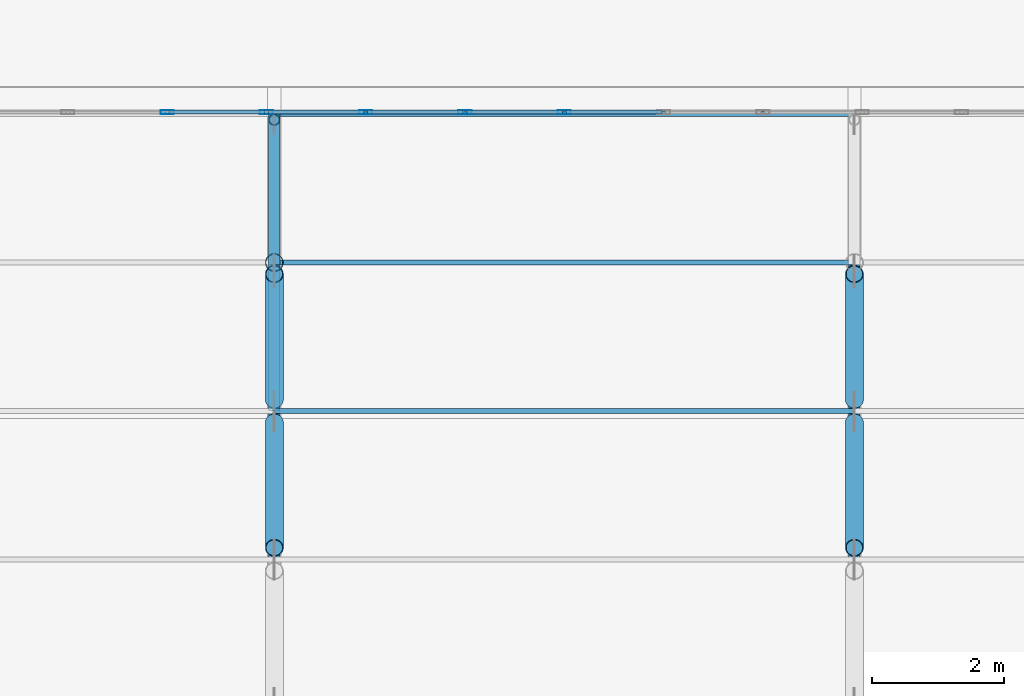
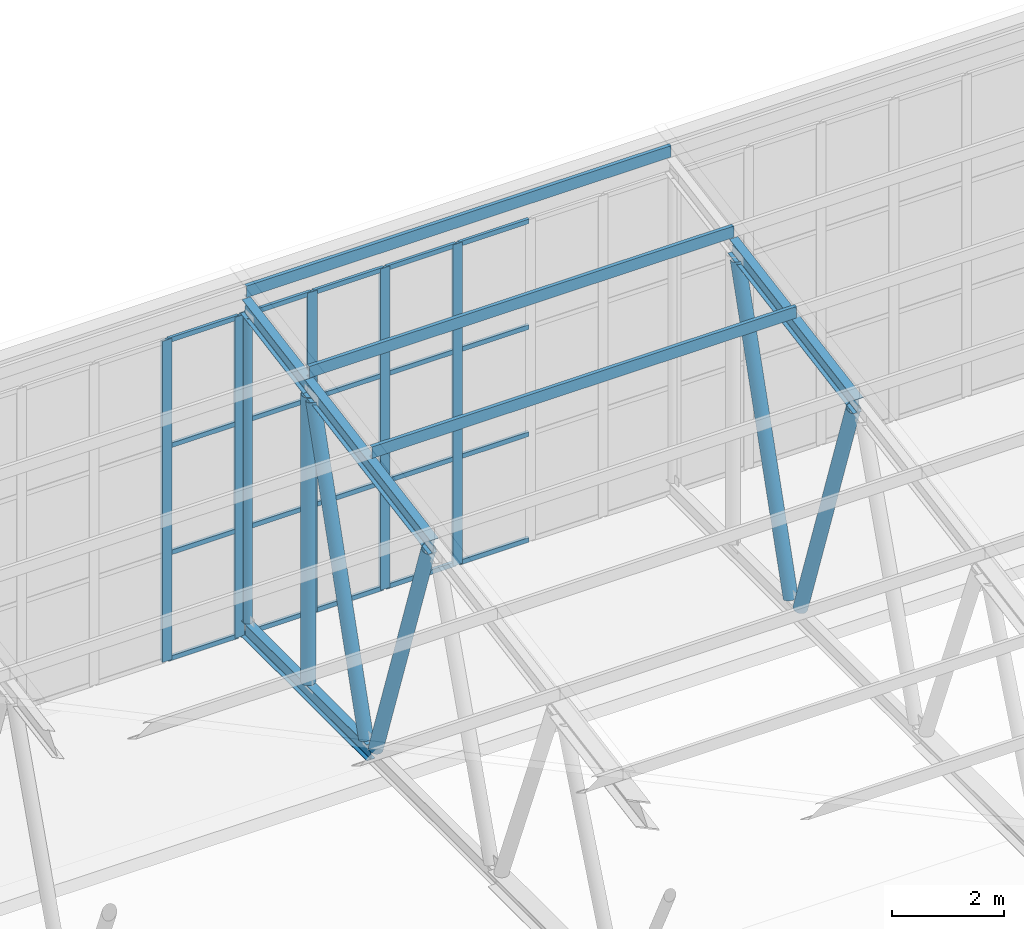
# One storey, part 58 of 185: 38 members, 1 element without a shape of its own.
"""IFC4 building model written with IfcOpenShell, lengths in metres."""

from ifc_helpers import new_model, si_unit, direction, frame, origin, origin_2d, place, context, subcontext, project, spatial, polyline, hollow_rectangle, hollow_circle, i_section, outline, extrude, material, layer, layer_set, material_profile, profile_set, type_object, element, aggregate, save


model = new_model("IFC4")

# Units and contexts
model_context = context("Model", 3, precision=1e-05, world=origin(), true_north=direction((0.0, 1.0)))
body_context = subcontext(model_context, "Body", "Model", "MODEL_VIEW")
ifc_project = project(units=[si_unit("LENGTHUNIT", "METRE"), si_unit("AREAUNIT", "SQUARE_METRE"), si_unit("VOLUMEUNIT", "CUBIC_METRE"), si_unit("PLANEANGLEUNIT", "RADIAN"), si_unit("MASSUNIT", "GRAM", prefix="KILO")], contexts=[model_context])

# Site, building, storey
site_placement = place(None, origin())
site = spatial("IfcSite", under=ifc_project, at=site_placement, CompositionType="ELEMENT")
building_placement = place(site_placement, origin())
building = spatial("IfcBuilding", under=site, at=building_placement, Name="Opaline Strait Convention Centre", CompositionType="ELEMENT")
storey_placement = place(building_placement, frame((0.0, 0.0, 6.0)))
storey = spatial("IfcBuildingStorey", under=building, at=storey_placement, Name="L01", CompositionType="ELEMENT", Elevation=6.0)

# Curtain wall, members
ifc_material_1 = material(Name="Aluminium 6063-T5", Category="aluminium")
ifc_layer = layer(ifc_material_1, 0.199951171875)
ifc_layer_set = layer_set([ifc_layer], Name="Aluminium 6063-T5")
curtain_wall_type = type_object("IfcCurtainWallType", Name="Unitised curtain wall 1640 module", PredefinedType="NOTDEFINED", material=ifc_layer_set)
curtain_wall_placement = place(storey_placement, origin())
curtain_wall = element("IfcCurtainWall", 1, at=curtain_wall_placement, inside=storey, type_object=curtain_wall_type, Name="Ballroom north clerestory curtain wall", PredefinedType="NOTDEFINED")
ifc_material_2 = material(Name="Aluminium alloy 6063", Category="aluminium")
ifc_material_profile_1 = material_profile(ifc_material_2, hollow_rectangle(XDim=0.06005859375, YDim=0.199951171875, WallThickness=0.00390625, at=origin_2d()), Name="MULLION 60x200x4")
ifc_profile_set_1 = profile_set([ifc_material_profile_1], Name="Aluminium alloy 6063")
member_type_1 = type_object("IfcMemberType", Name="Curtain wall mullion 60 x 200", PredefinedType="MULLION", material=ifc_profile_set_1)
member_1_placement = place(storey_placement, frame((313.494384765625, 62.929931640625, 4.324951171875), z_axis=(0.0, 0.0, 1.0), x_axis=(0.0, 1.0, 0.0)))
member_1 = element("IfcMember", 2, at=member_1_placement, type_object=member_type_1, Name="BG2 mullion 18", PredefinedType="MULLION", context=body_context, shape_type="SweptSolid", body=[
    extrude(hollow_rectangle(XDim=0.06005859375, YDim=0.199951171875, WallThickness=0.00390625, at=origin_2d()), origin(), (0.0, 0.0, 1.0), 7.01513671875),
])
member_2_placement = place(storey_placement, frame((314.99560546875, 62.929931640625, 4.324951171875), z_axis=(0.0, 0.0, 1.0), x_axis=(0.0, 1.0, 0.0)))
member_2 = element("IfcMember", 3, at=member_2_placement, type_object=member_type_1, Name="BG2 mullion 19", PredefinedType="MULLION", context=body_context, shape_type="SweptSolid", body=[
    extrude(hollow_rectangle(XDim=0.06005859375, YDim=0.199951171875, WallThickness=0.00390625, at=origin_2d()), origin(), (0.0, 0.0, 1.0), 7.01513671875),
])
member_3_placement = place(storey_placement, frame((316.4970703125, 62.929931640625, 4.324951171875), z_axis=(0.0, 0.0, 1.0), x_axis=(0.0, 1.0, 0.0)))
member_3 = element("IfcMember", 4, at=member_3_placement, type_object=member_type_1, Name="BG2 mullion 20", PredefinedType="MULLION", context=body_context, shape_type="SweptSolid", body=[
    extrude(hollow_rectangle(XDim=0.06005859375, YDim=0.199951171875, WallThickness=0.00390625, at=origin_2d()), origin(), (0.0, 0.0, 1.0), 7.01513671875),
])
member_4_placement = place(storey_placement, frame((317.99853515625, 62.929931640625, 4.324951171875), z_axis=(0.0, 0.0, 1.0), x_axis=(0.0, 1.0, 0.0)))
member_4 = element("IfcMember", 5, at=member_4_placement, type_object=member_type_1, Name="BG2 mullion 21", PredefinedType="MULLION", context=body_context, shape_type="SweptSolid", body=[
    extrude(hollow_rectangle(XDim=0.06005859375, YDim=0.199951171875, WallThickness=0.00390625, at=origin_2d()), origin(), (0.0, 0.0, 1.0), 7.01513671875),
])
member_5_placement = place(storey_placement, frame((319.5, 62.929931640625, 4.324951171875), z_axis=(0.0, 0.0, 1.0), x_axis=(0.0, 1.0, 0.0)))
member_5 = element("IfcMember", 6, at=member_5_placement, type_object=member_type_1, Name="BG2 mullion 22", PredefinedType="MULLION", context=body_context, shape_type="SweptSolid", body=[
    extrude(hollow_rectangle(XDim=0.06005859375, YDim=0.199951171875, WallThickness=0.00390625, at=origin_2d()), origin(), (0.0, 0.0, 1.0), 7.01513671875),
])
ifc_material_profile_2 = material_profile(ifc_material_2, hollow_rectangle(XDim=0.06005859375, YDim=0.10009765625, WallThickness=0.0029296875, at=origin_2d()), Name="TRANSOM 60x100x3")
ifc_profile_set_2 = profile_set([ifc_material_profile_2], Name="Aluminium alloy 6063")
member_type_2 = type_object("IfcMemberType", Name="Curtain wall transom 60 x 100", PredefinedType="USERDEFINED", material=ifc_profile_set_2)
member_6_placement = place(storey_placement, frame((313.524169921875, 62.929931640625, 4.35498046875), z_axis=(1.0, 0.0, 0.0), x_axis=(0.0, 1.0, 0.0)))
member_6 = element("IfcMember", 7, at=member_6_placement, type_object=member_type_2, Name="BG2 transom 18.1", ObjectType="TRANSOM", PredefinedType="USERDEFINED", context=body_context, shape_type="SweptSolid", body=[
    extrude(hollow_rectangle(XDim=0.06005859375, YDim=0.10009765625, WallThickness=0.0029296875, at=origin_2d()), origin(), (0.0, 0.0, 1.0), 1.441650390625),
])
member_7_placement = place(storey_placement, frame((313.524169921875, 62.929931640625, 6.663330078125), z_axis=(1.0, 0.0, 0.0), x_axis=(0.0, 1.0, 0.0)))
member_7 = element("IfcMember", 8, at=member_7_placement, type_object=member_type_2, Name="BG2 transom 18.2", ObjectType="TRANSOM", PredefinedType="USERDEFINED", context=body_context, shape_type="SweptSolid", body=[
    extrude(hollow_rectangle(XDim=0.06005859375, YDim=0.10009765625, WallThickness=0.0029296875, at=origin_2d()), origin(), (0.0, 0.0, 1.0), 1.441650390625),
])
member_8_placement = place(storey_placement, frame((313.524169921875, 62.929931640625, 9.001708984375), z_axis=(1.0, 0.0, 0.0), x_axis=(0.0, 1.0, 0.0)))
member_8 = element("IfcMember", 9, at=member_8_placement, type_object=member_type_2, Name="BG2 transom 18.3", ObjectType="TRANSOM", PredefinedType="USERDEFINED", context=body_context, shape_type="SweptSolid", body=[
    extrude(hollow_rectangle(XDim=0.06005859375, YDim=0.10009765625, WallThickness=0.0029296875, at=origin_2d()), origin(), (0.0, 0.0, 1.0), 1.441650390625),
])
member_9_placement = place(storey_placement, frame((313.524169921875, 62.929931640625, 11.31005859375), z_axis=(1.0, 0.0, 0.0), x_axis=(0.0, 1.0, 0.0)))
member_9 = element("IfcMember", 10, at=member_9_placement, type_object=member_type_2, Name="BG2 transom 18.4", ObjectType="TRANSOM", PredefinedType="USERDEFINED", context=body_context, shape_type="SweptSolid", body=[
    extrude(hollow_rectangle(XDim=0.06005859375, YDim=0.10009765625, WallThickness=0.0029296875, at=origin_2d()), origin(), (0.0, 0.0, 1.0), 1.441650390625),
])
member_10_placement = place(storey_placement, frame((315.025634765625, 62.929931640625, 4.35498046875), z_axis=(1.0, 0.0, 0.0), x_axis=(0.0, 1.0, 0.0)))
member_10 = element("IfcMember", 11, at=member_10_placement, type_object=member_type_2, Name="BG2 transom 19.1", ObjectType="TRANSOM", PredefinedType="USERDEFINED", context=body_context, shape_type="SweptSolid", body=[
    extrude(hollow_rectangle(XDim=0.06005859375, YDim=0.10009765625, WallThickness=0.0029296875, at=origin_2d()), origin(), (0.0, 0.0, 1.0), 1.44140625),
])
member_11_placement = place(storey_placement, frame((315.025634765625, 62.929931640625, 6.663330078125), z_axis=(1.0, 0.0, 0.0), x_axis=(0.0, 1.0, 0.0)))
member_11 = element("IfcMember", 12, at=member_11_placement, type_object=member_type_2, Name="BG2 transom 19.2", ObjectType="TRANSOM", PredefinedType="USERDEFINED", context=body_context, shape_type="SweptSolid", body=[
    extrude(hollow_rectangle(XDim=0.06005859375, YDim=0.10009765625, WallThickness=0.0029296875, at=origin_2d()), origin(), (0.0, 0.0, 1.0), 1.44140625),
])
member_12_placement = place(storey_placement, frame((315.025634765625, 62.929931640625, 9.001708984375), z_axis=(1.0, 0.0, 0.0), x_axis=(0.0, 1.0, 0.0)))
member_12 = element("IfcMember", 13, at=member_12_placement, type_object=member_type_2, Name="BG2 transom 19.3", ObjectType="TRANSOM", PredefinedType="USERDEFINED", context=body_context, shape_type="SweptSolid", body=[
    extrude(hollow_rectangle(XDim=0.06005859375, YDim=0.10009765625, WallThickness=0.0029296875, at=origin_2d()), origin(), (0.0, 0.0, 1.0), 1.44140625),
])
member_13_placement = place(storey_placement, frame((315.025634765625, 62.929931640625, 11.31005859375), z_axis=(1.0, 0.0, 0.0), x_axis=(0.0, 1.0, 0.0)))
member_13 = element("IfcMember", 14, at=member_13_placement, type_object=member_type_2, Name="BG2 transom 19.4", ObjectType="TRANSOM", PredefinedType="USERDEFINED", context=body_context, shape_type="SweptSolid", body=[
    extrude(hollow_rectangle(XDim=0.06005859375, YDim=0.10009765625, WallThickness=0.0029296875, at=origin_2d()), origin(), (0.0, 0.0, 1.0), 1.44140625),
])
member_14_placement = place(storey_placement, frame((316.527099609375, 62.929931640625, 4.35498046875), z_axis=(1.0, 0.0, 0.0), x_axis=(0.0, 1.0, 0.0)))
member_14 = element("IfcMember", 15, at=member_14_placement, type_object=member_type_2, Name="BG2 transom 20.1", ObjectType="TRANSOM", PredefinedType="USERDEFINED", context=body_context, shape_type="SweptSolid", body=[
    extrude(hollow_rectangle(XDim=0.06005859375, YDim=0.10009765625, WallThickness=0.0029296875, at=origin_2d()), origin(), (0.0, 0.0, 1.0), 1.44140625),
])
member_15_placement = place(storey_placement, frame((316.527099609375, 62.929931640625, 6.663330078125), z_axis=(1.0, 0.0, 0.0), x_axis=(0.0, 1.0, 0.0)))
member_15 = element("IfcMember", 16, at=member_15_placement, type_object=member_type_2, Name="BG2 transom 20.2", ObjectType="TRANSOM", PredefinedType="USERDEFINED", context=body_context, shape_type="SweptSolid", body=[
    extrude(hollow_rectangle(XDim=0.06005859375, YDim=0.10009765625, WallThickness=0.0029296875, at=origin_2d()), origin(), (0.0, 0.0, 1.0), 1.44140625),
])
member_16_placement = place(storey_placement, frame((316.527099609375, 62.929931640625, 9.001708984375), z_axis=(1.0, 0.0, 0.0), x_axis=(0.0, 1.0, 0.0)))
member_16 = element("IfcMember", 17, at=member_16_placement, type_object=member_type_2, Name="BG2 transom 20.3", ObjectType="TRANSOM", PredefinedType="USERDEFINED", context=body_context, shape_type="SweptSolid", body=[
    extrude(hollow_rectangle(XDim=0.06005859375, YDim=0.10009765625, WallThickness=0.0029296875, at=origin_2d()), origin(), (0.0, 0.0, 1.0), 1.44140625),
])
member_17_placement = place(storey_placement, frame((316.527099609375, 62.929931640625, 11.31005859375), z_axis=(1.0, 0.0, 0.0), x_axis=(0.0, 1.0, 0.0)))
member_17 = element("IfcMember", 18, at=member_17_placement, type_object=member_type_2, Name="BG2 transom 20.4", ObjectType="TRANSOM", PredefinedType="USERDEFINED", context=body_context, shape_type="SweptSolid", body=[
    extrude(hollow_rectangle(XDim=0.06005859375, YDim=0.10009765625, WallThickness=0.0029296875, at=origin_2d()), origin(), (0.0, 0.0, 1.0), 1.44140625),
])
member_18_placement = place(storey_placement, frame((318.028564453125, 62.929931640625, 4.35498046875), z_axis=(1.0, 0.0, 0.0), x_axis=(0.0, 1.0, 0.0)))
member_18 = element("IfcMember", 19, at=member_18_placement, type_object=member_type_2, Name="BG2 transom 21.1", ObjectType="TRANSOM", PredefinedType="USERDEFINED", context=body_context, shape_type="SweptSolid", body=[
    extrude(hollow_rectangle(XDim=0.06005859375, YDim=0.10009765625, WallThickness=0.0029296875, at=origin_2d()), origin(), (0.0, 0.0, 1.0), 1.44140625),
])
member_19_placement = place(storey_placement, frame((318.028564453125, 62.929931640625, 6.663330078125), z_axis=(1.0, 0.0, 0.0), x_axis=(0.0, 1.0, 0.0)))
member_19 = element("IfcMember", 20, at=member_19_placement, type_object=member_type_2, Name="BG2 transom 21.2", ObjectType="TRANSOM", PredefinedType="USERDEFINED", context=body_context, shape_type="SweptSolid", body=[
    extrude(hollow_rectangle(XDim=0.06005859375, YDim=0.10009765625, WallThickness=0.0029296875, at=origin_2d()), origin(), (0.0, 0.0, 1.0), 1.44140625),
])
member_20_placement = place(storey_placement, frame((318.028564453125, 62.929931640625, 9.001708984375), z_axis=(1.0, 0.0, 0.0), x_axis=(0.0, 1.0, 0.0)))
member_20 = element("IfcMember", 21, at=member_20_placement, type_object=member_type_2, Name="BG2 transom 21.3", ObjectType="TRANSOM", PredefinedType="USERDEFINED", context=body_context, shape_type="SweptSolid", body=[
    extrude(hollow_rectangle(XDim=0.06005859375, YDim=0.10009765625, WallThickness=0.0029296875, at=origin_2d()), origin(), (0.0, 0.0, 1.0), 1.44140625),
])
member_21_placement = place(storey_placement, frame((318.028564453125, 62.929931640625, 11.31005859375), z_axis=(1.0, 0.0, 0.0), x_axis=(0.0, 1.0, 0.0)))
member_21 = element("IfcMember", 22, at=member_21_placement, type_object=member_type_2, Name="BG2 transom 21.4", ObjectType="TRANSOM", PredefinedType="USERDEFINED", context=body_context, shape_type="SweptSolid", body=[
    extrude(hollow_rectangle(XDim=0.06005859375, YDim=0.10009765625, WallThickness=0.0029296875, at=origin_2d()), origin(), (0.0, 0.0, 1.0), 1.44140625),
])
member_22_placement = place(storey_placement, frame((319.530029296875, 62.929931640625, 4.35498046875), z_axis=(1.0, 0.0, 0.0), x_axis=(0.0, 1.0, 0.0)))
member_22 = element("IfcMember", 23, at=member_22_placement, type_object=member_type_2, Name="BG2 transom 22.1", ObjectType="TRANSOM", PredefinedType="USERDEFINED", context=body_context, shape_type="SweptSolid", body=[
    extrude(hollow_rectangle(XDim=0.06005859375, YDim=0.10009765625, WallThickness=0.0029296875, at=origin_2d()), origin(), (0.0, 0.0, 1.0), 1.44140625),
])
member_23_placement = place(storey_placement, frame((319.530029296875, 62.929931640625, 6.663330078125), z_axis=(1.0, 0.0, 0.0), x_axis=(0.0, 1.0, 0.0)))
member_23 = element("IfcMember", 24, at=member_23_placement, type_object=member_type_2, Name="BG2 transom 22.2", ObjectType="TRANSOM", PredefinedType="USERDEFINED", context=body_context, shape_type="SweptSolid", body=[
    extrude(hollow_rectangle(XDim=0.06005859375, YDim=0.10009765625, WallThickness=0.0029296875, at=origin_2d()), origin(), (0.0, 0.0, 1.0), 1.44140625),
])
member_24_placement = place(storey_placement, frame((319.530029296875, 62.929931640625, 9.001708984375), z_axis=(1.0, 0.0, 0.0), x_axis=(0.0, 1.0, 0.0)))
member_24 = element("IfcMember", 25, at=member_24_placement, type_object=member_type_2, Name="BG2 transom 22.3", ObjectType="TRANSOM", PredefinedType="USERDEFINED", context=body_context, shape_type="SweptSolid", body=[
    extrude(hollow_rectangle(XDim=0.06005859375, YDim=0.10009765625, WallThickness=0.0029296875, at=origin_2d()), origin(), (0.0, 0.0, 1.0), 1.44140625),
])
member_25_placement = place(storey_placement, frame((319.530029296875, 62.929931640625, 11.31005859375), z_axis=(1.0, 0.0, 0.0), x_axis=(0.0, 1.0, 0.0)))
member_25 = element("IfcMember", 26, at=member_25_placement, type_object=member_type_2, Name="BG2 transom 22.4", ObjectType="TRANSOM", PredefinedType="USERDEFINED", context=body_context, shape_type="SweptSolid", body=[
    extrude(hollow_rectangle(XDim=0.06005859375, YDim=0.10009765625, WallThickness=0.0029296875, at=origin_2d()), origin(), (0.0, 0.0, 1.0), 1.44140625),
])
aggregate(curtain_wall, [member_1, member_2, member_3, member_4, member_5, member_6, member_7, member_8, member_9, member_10, member_11, member_12, member_13, member_14, member_15, member_16, member_17, member_18, member_19, member_20, member_21, member_22, member_23, member_24, member_25])

# Members
ifc_material_3 = material(Name="Steel Q355B", Category="steel")
ifc_material_profile_3 = material_profile(ifc_material_3, outline(polyline([(-0.03759765625, -0.125), (0.03759765625, -0.125), (0.03759765625, -0.10498046875), (0.034423828125, -0.10498046875), (0.034423828125, -0.1220703125), (-0.034423828125, -0.1220703125), (-0.034423828125, 0.1220703125), (0.034423828125, 0.1220703125), (0.034423828125, 0.10498046875), (0.03759765625, 0.10498046875), (0.03759765625, 0.125), (-0.03759765625, 0.125), (-0.03759765625, -0.125)])), Name="C 250x75x20x3")
ifc_profile_set_3 = profile_set([ifc_material_profile_3], Name="Steel Q355B")
member_type_3 = type_object("IfcMemberType", Name="Roof purlin C 250x75x20x3", PredefinedType="RAFTER", material=ifc_profile_set_3)
for number, where, z_axis, x_axis, name in (
    (27, (315.1142578125, 58.41259765625, 11.049560546875), (1.0, 0.0, 0.0), (0.0, 1.0, 0.0), "BU1 purlin line 16 bay 5"),
    (28, (315.1142578125, 60.65625, 11.445068359375), (1.0, 0.0, 0.0), (0.0, 1.0, 0.0), "BU1 purlin line 17 bay 5"),
    (29, (315.1142578125, 62.89990234375, 11.8408203125), (1.0, 0.0, 0.0), (0.0, 1.0, 0.0), "BU1 purlin line 18 bay 5"),
):
    element("IfcMember", number, at=place(storey_placement, frame(where, z_axis=z_axis, x_axis=x_axis)), inside=storey, type_object=member_type_3, Name=name, PredefinedType="RAFTER", context=body_context, shape_type="SweptSolid", body=[
        extrude(outline(polyline([(-0.03759765625, -0.125), (0.03759765625, -0.125), (0.03759765625, -0.10498046875), (0.034423828125, -0.10498046875), (0.034423828125, -0.1220703125), (-0.034423828125, -0.1220703125), (-0.034423828125, 0.1220703125), (0.034423828125, 0.1220703125), (0.034423828125, 0.10498046875), (0.03759765625, 0.10498046875), (0.03759765625, 0.125), (-0.03759765625, 0.125), (-0.03759765625, -0.125)])), origin(), (0.0, 0.0, 1.0), 8.771484375),
    ])
ifc_material_profile_4 = material_profile(ifc_material_3, i_section(OverallWidth=0.175048828125, OverallDepth=0.35009765625, WebThickness=0.007080078125, FlangeThickness=0.010986328125, FilletRadius=0.012939453125, at=origin_2d()), Name="HN 350x175x7x11")
ifc_profile_set_4 = profile_set([ifc_material_profile_4], Name="Steel Q355B")
member_type_4 = type_object("IfcMemberType", Name="Truss bottom chord HN 350x175x7x11", PredefinedType="CHORD", material=ifc_profile_set_4)
member_26_placement = place(storey_placement, frame((315.1142578125, 58.41259765625, 4.5), z_axis=(0.0, 1.0, 0.0), x_axis=(-1.0, 0.0, 0.0)))
element("IfcMember", 30, at=member_26_placement, inside=storey, type_object=member_type_4, Name="BT2 bottom chord line 4 panel 8", PredefinedType="CHORD", context=body_context, shape_type="SweptSolid", body=[
    extrude(i_section(OverallWidth=0.175048828125, OverallDepth=0.35009765625, WebThickness=0.007080078125, FlangeThickness=0.010986328125, FilletRadius=0.012939453125, at=origin_2d()), origin(), (0.0, 0.0, 1.0), 4.4873046875),
])
ifc_material_profile_5 = material_profile(ifc_material_3, hollow_circle(Radius=0.083984375, WallThickness=0.008056640625, at=origin_2d()), Name="CHS 168x8")
ifc_profile_set_5 = profile_set([ifc_material_profile_5], Name="Steel Q355B")
member_type_5 = type_object("IfcMemberType", Name="Truss end post CHS 168x8", PredefinedType="STRUT", material=ifc_profile_set_5)
member_27_placement = place(storey_placement, frame((315.1142578125, 62.81591796875, 4.675048828125), z_axis=(0.0, 0.0, 1.0), x_axis=(1.0, 0.0, 0.0)))
element("IfcMember", 31, at=member_27_placement, inside=storey, type_object=member_type_5, Name="BW5 end post line 4", PredefinedType="STRUT", context=body_context, shape_type="SweptSolid", body=[
    extrude(hollow_circle(Radius=0.083984375, WallThickness=0.008056640625, at=origin_2d()), origin(), (0.0, 0.0, 1.0), 6.66259765625),
])
ifc_material_profile_6 = material_profile(ifc_material_3, i_section(OverallWidth=0.175048828125, OverallDepth=0.35009765625, WebThickness=0.007080078125, FlangeThickness=0.010986328125, FilletRadius=0.012939453125, at=origin_2d()), Name="HN 350x175x7x11")
ifc_profile_set_6 = profile_set([ifc_material_profile_6], Name="Steel Q355B")
member_type_6 = type_object("IfcMemberType", Name="Truss top chord HN 350x175x7x11", PredefinedType="CHORD", material=ifc_profile_set_6)
member_28_placement = place(storey_placement, frame((315.1142578125, 56.168701171875, 10.34326171875), z_axis=(0.0, 0.984808359847, 0.173644736101), x_axis=(-1.0, 0.0, 0.0)))
element("IfcMember", 32, at=member_28_placement, inside=storey, type_object=member_type_6, Name="BT1 top chord line 4 panel 9", PredefinedType="CHORD", context=body_context, shape_type="SweptSolid", body=[
    extrude(i_section(OverallWidth=0.175048828125, OverallDepth=0.35009765625, WebThickness=0.007080078125, FlangeThickness=0.010986328125, FilletRadius=0.012939453125, at=origin_2d()), origin(), (0.0, 0.0, 1.0), 4.556884765625),
])
member_29_placement = place(storey_placement, frame((315.1142578125, 60.65625, 11.134521484375), z_axis=(0.0, 0.984815906009, 0.173601933377), x_axis=(-1.0, 0.0, 0.0)))
element("IfcMember", 33, at=member_29_placement, inside=storey, type_object=member_type_6, Name="BT1 top chord line 4 panel 10", PredefinedType="CHORD", context=body_context, shape_type="SweptSolid", body=[
    extrude(i_section(OverallWidth=0.175048828125, OverallDepth=0.35009765625, WebThickness=0.007080078125, FlangeThickness=0.010986328125, FilletRadius=0.012939453125, at=origin_2d()), origin(), (0.0, 0.0, 1.0), 2.2783203125),
])
member_30_placement = place(storey_placement, frame((323.8857421875, 56.168701171875, 10.34326171875), z_axis=(0.0, 0.984808359847, 0.173644736101), x_axis=(-1.0, 0.0, 0.0)))
element("IfcMember", 34, at=member_30_placement, inside=storey, type_object=member_type_6, Name="BT1 top chord line 5 panel 9", PredefinedType="CHORD", context=body_context, shape_type="SweptSolid", body=[
    extrude(i_section(OverallWidth=0.175048828125, OverallDepth=0.35009765625, WebThickness=0.007080078125, FlangeThickness=0.010986328125, FilletRadius=0.012939453125, at=origin_2d()), origin(), (0.0, 0.0, 1.0), 4.556884765625),
])
ifc_material_profile_7 = material_profile(ifc_material_3, hollow_circle(Radius=0.136474609375, WallThickness=0.011962890625, at=origin_2d()), Name="CHS 273x12")
ifc_profile_set_7 = profile_set([ifc_material_profile_7], Name="Steel Q355B")
member_type_7 = type_object("IfcMemberType", Name="Truss web CHS 273x12", PredefinedType="BRACE", material=ifc_profile_set_7)
member_31_placement = place(storey_placement, frame((315.1142578125, 58.23828125, 4.678955078125), z_axis=(0.0, -0.325083279509, 0.945685392392), x_axis=(1.0, 0.0, 0.0)))
element("IfcMember", 35, at=member_31_placement, inside=storey, type_object=member_type_7, Name="BW4 web line 4 member 14", PredefinedType="BRACE", context=body_context, shape_type="SweptSolid", body=[
    extrude(hollow_circle(Radius=0.136474609375, WallThickness=0.011962890625, at=origin_2d()), origin(), (0.0, 0.0, 1.0), 5.830078125),
])
member_32_placement = place(storey_placement, frame((315.1142578125, 58.585205078125, 4.678955078125), z_axis=(0.0, 0.290918943534, 0.956747703574), x_axis=(-1.0, 0.0, 0.0)))
element("IfcMember", 36, at=member_32_placement, inside=storey, type_object=member_type_7, Name="BW4 web line 4 member 15", PredefinedType="BRACE", context=body_context, shape_type="SweptSolid", body=[
    extrude(hollow_circle(Radius=0.136474609375, WallThickness=0.011962890625, at=origin_2d()), origin(), (0.0, 0.0, 1.0), 6.525634765625),
])
member_33_placement = place(storey_placement, frame((315.1142578125, 60.65625, 4.675048828125), z_axis=(0.0, 0.0, 1.0), x_axis=(1.0, 0.0, 0.0)))
element("IfcMember", 37, at=member_33_placement, inside=storey, type_object=member_type_7, Name="BW4 frame post line 4", PredefinedType="BRACE", context=body_context, shape_type="SweptSolid", body=[
    extrude(hollow_circle(Radius=0.136474609375, WallThickness=0.011962890625, at=origin_2d()), origin(), (0.0, 0.0, 1.0), 6.28173828125),
])
member_34_placement = place(storey_placement, frame((323.8857421875, 58.23828125, 4.678955078125), z_axis=(0.0, -0.325083279509, 0.945685392392), x_axis=(1.0, 0.0, 0.0)))
element("IfcMember", 38, at=member_34_placement, inside=storey, type_object=member_type_7, Name="BW4 web line 5 member 14", PredefinedType="BRACE", context=body_context, shape_type="SweptSolid", body=[
    extrude(hollow_circle(Radius=0.136474609375, WallThickness=0.011962890625, at=origin_2d()), origin(), (0.0, 0.0, 1.0), 5.830078125),
])
member_35_placement = place(storey_placement, frame((323.8857421875, 58.585205078125, 4.678955078125), z_axis=(0.0, 0.290918943534, 0.956747703574), x_axis=(-1.0, 0.0, 0.0)))
element("IfcMember", 39, at=member_35_placement, inside=storey, type_object=member_type_7, Name="BW4 web line 5 member 15", PredefinedType="BRACE", context=body_context, shape_type="SweptSolid", body=[
    extrude(hollow_circle(Radius=0.136474609375, WallThickness=0.011962890625, at=origin_2d()), origin(), (0.0, 0.0, 1.0), 6.525634765625),
])

save(model, "model.ifc")
